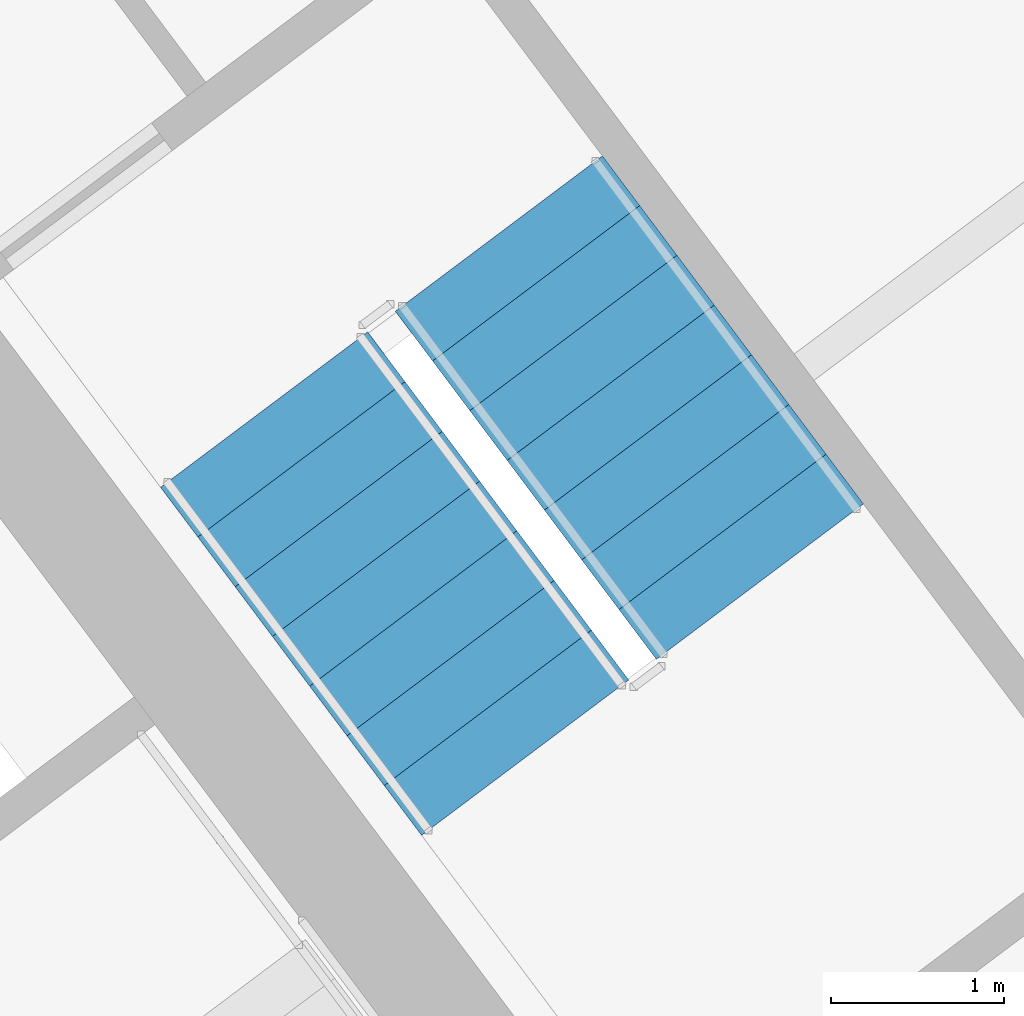
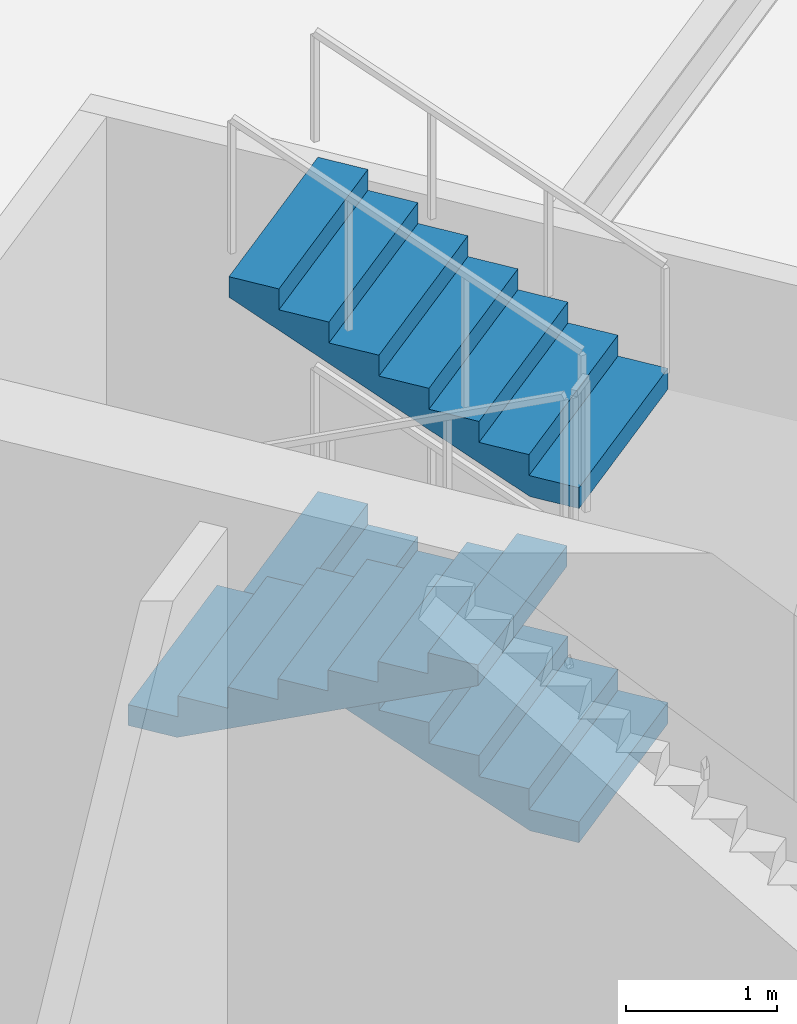
# One storey, part 39 of 48: 3 stair flights, 1 element without a shape of its own.
"""IFC4 building model written with IfcOpenShell, lengths in metres."""

from ifc_helpers import new_model, si_unit, direction, frame, origin, place, context, subcontext, project, spatial, polyline, outline, extrude, material, type_object, element, aggregate, save


model = new_model("IFC4")

# Units and contexts
model_context = context("Model", 3, precision=1e-05, world=origin(), true_north=direction((0.0, 1.0)))
body_context = subcontext(model_context, "Body", "Model", "MODEL_VIEW")
ifc_project = project(units=[si_unit("LENGTHUNIT", "METRE"), si_unit("AREAUNIT", "SQUARE_METRE"), si_unit("VOLUMEUNIT", "CUBIC_METRE"), si_unit("PLANEANGLEUNIT", "RADIAN"), si_unit("MASSUNIT", "GRAM", prefix="KILO")], contexts=[model_context])

# Site, building, storey
site_placement = place(None, origin())
site = spatial("IfcSite", under=ifc_project, at=site_placement, CompositionType="ELEMENT")
building_placement = place(site_placement, origin())
building = spatial("IfcBuilding", under=site, at=building_placement, Name="Tashvorn Skyway Center", CompositionType="ELEMENT")
storey_placement = place(building_placement, frame((0.0, 0.0, 10.199951171875)))
storey = spatial("IfcBuildingStorey", under=building, at=storey_placement, Name="L02", CompositionType="ELEMENT", Elevation=10.199951171875)

# Stair, stair flights
ifc_material = material(Name="Concrete C40/50", Category="concrete")
stair_type = type_object("IfcStairType", Name="STAIR-CORE-1500", PredefinedType="HALF_TURN_STAIR", material=ifc_material)
stair_placement = place(storey_placement, origin())
stair = element("IfcStair", 1, at=stair_placement, inside=storey, type_object=stair_type, Name="L02 Tower 2 Exit Stair 3", PredefinedType="HALF_TURN_STAIR")
stair_flight_type = type_object("IfcStairFlightType", Name="SFLIGHT-1500", PredefinedType="STRAIGHT", material=ifc_material)
stair_flight_1_placement = place(storey_placement, frame((123.087890625, 37.76611328125, 1.35009765625), z_axis=(0.0, 0.0, 1.0), x_axis=(-0.600000004945, 0.799999996291, 0.0)))
stair_flight_1 = element("IfcStairFlight", 2, at=stair_flight_1_placement, type_object=stair_flight_type, Name="ST-T2-3 flight 2", NumberOfRisers=8, NumberOfTreads=7, PredefinedType="STRAIGHT", RiserHeight=0.16875, TreadLength=0.36, context=body_context, shape_type="SweptSolid", body=[
    extrude(outline(polyline([(0.0, 0.0), (0.0, 0.168701171875), (0.360107421875, 0.168701171875), (0.360107421875, 0.33740234375), (0.719970703125, 0.33740234375), (0.719970703125, 0.50634765625), (1.080078125, 0.50634765625), (1.080078125, 0.675048828125), (1.43994140625, 0.675048828125), (1.43994140625, 0.84375), (1.800048828125, 0.84375), (1.800048828125, 1.012451171875), (2.159912109375, 1.012451171875), (2.159912109375, 1.18115234375), (2.52001953125, 1.18115234375), (2.52001953125, 1.35009765625), (2.52001953125, 1.015625), (0.353271484375, 0.0), (0.0, 0.0)])), frame((0.0, 0.75, 0.0), z_axis=(0.0, -1.0, 0.0), x_axis=(1.0, 0.0, 0.0)), (0.0, 0.0, 1.0), 1.5),
])
stair_flight_2_placement = place(storey_placement, frame((120.216064453125, 38.761962890625, 2.699951171875), z_axis=(0.0, 0.0, 1.0), x_axis=(0.600000004945, -0.799999996291, 0.0)))
stair_flight_2 = element("IfcStairFlight", 3, at=stair_flight_2_placement, type_object=stair_flight_type, Name="ST-T2-3 flight 3", NumberOfRisers=8, NumberOfTreads=7, PredefinedType="STRAIGHT", RiserHeight=0.16875, TreadLength=0.36, context=body_context, shape_type="SweptSolid", body=[
    extrude(outline(polyline([(0.0, 0.0), (0.0, 0.168701171875), (0.360107421875, 0.168701171875), (0.360107421875, 0.33740234375), (0.719970703125, 0.33740234375), (0.719970703125, 0.50634765625), (1.080078125, 0.50634765625), (1.080078125, 0.675048828125), (1.43994140625, 0.675048828125), (1.43994140625, 0.84375), (1.800048828125, 0.84375), (1.800048828125, 1.012451171875), (2.159912109375, 1.012451171875), (2.159912109375, 1.18115234375), (2.52001953125, 1.18115234375), (2.52001953125, 1.35009765625), (2.52001953125, 1.015625), (0.353271484375, 0.0), (0.0, 0.0)])), frame((0.0, 0.75, 0.0), z_axis=(0.0, -1.0, 0.0), x_axis=(1.0, 0.0, 0.0)), (0.0, 0.0, 1.0), 1.5),
])
stair_flight_3_placement = place(storey_placement, frame((123.087890625, 37.76611328125, 4.050048828125), z_axis=(0.0, 0.0, 1.0), x_axis=(-0.600000004945, 0.799999996291, 0.0)))
stair_flight_3 = element("IfcStairFlight", 4, at=stair_flight_3_placement, type_object=stair_flight_type, Name="ST-T2-3 flight 4", NumberOfRisers=8, NumberOfTreads=7, PredefinedType="STRAIGHT", RiserHeight=0.16875, TreadLength=0.36, context=body_context, shape_type="SweptSolid", body=[
    extrude(outline(polyline([(0.0, 0.0), (0.0, 0.168701171875), (0.360107421875, 0.168701171875), (0.360107421875, 0.33740234375), (0.719970703125, 0.33740234375), (0.719970703125, 0.50634765625), (1.080078125, 0.50634765625), (1.080078125, 0.675048828125), (1.43994140625, 0.675048828125), (1.43994140625, 0.84375), (1.800048828125, 0.84375), (1.800048828125, 1.012451171875), (2.159912109375, 1.012451171875), (2.159912109375, 1.18115234375), (2.52001953125, 1.18115234375), (2.52001953125, 1.35009765625), (2.52001953125, 1.015625), (0.353271484375, 0.0), (0.0, 0.0)])), frame((0.0, 0.75, 0.0), z_axis=(0.0, -1.0, 0.0), x_axis=(1.0, 0.0, 0.0)), (0.0, 0.0, 1.0), 1.5),
])
aggregate(stair, [stair_flight_1, stair_flight_2, stair_flight_3])

save(model, "model.ifc")
